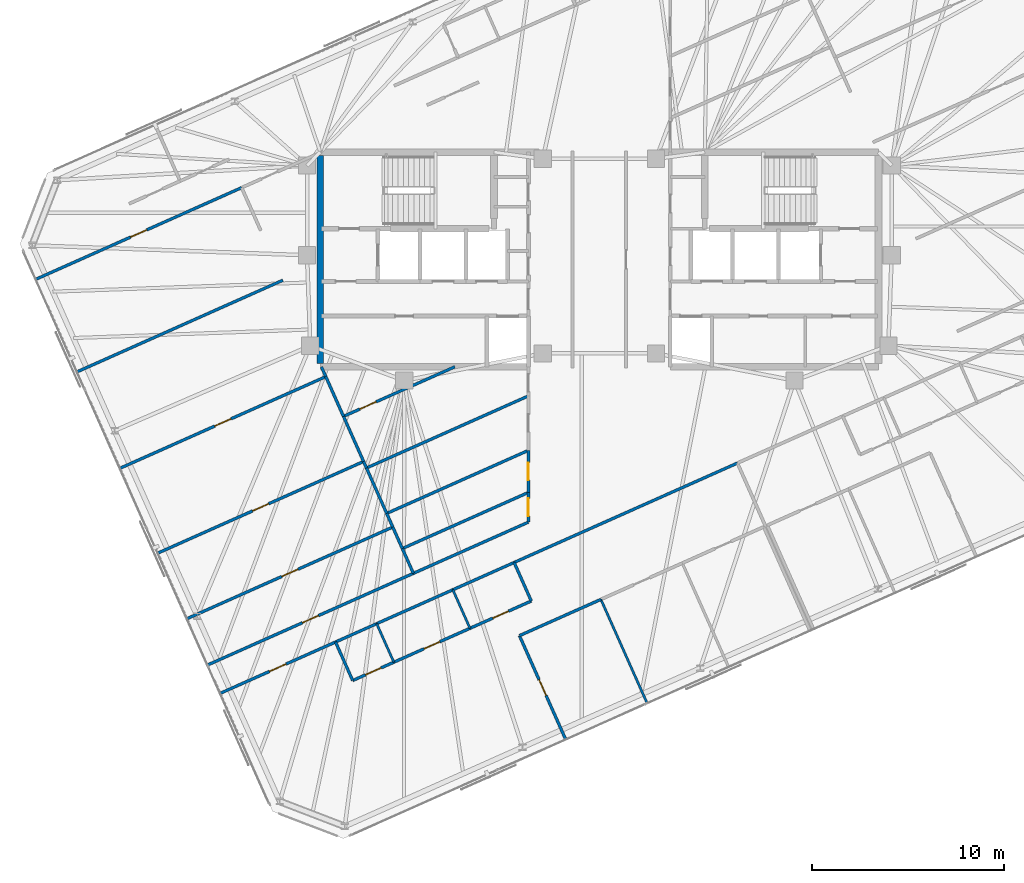
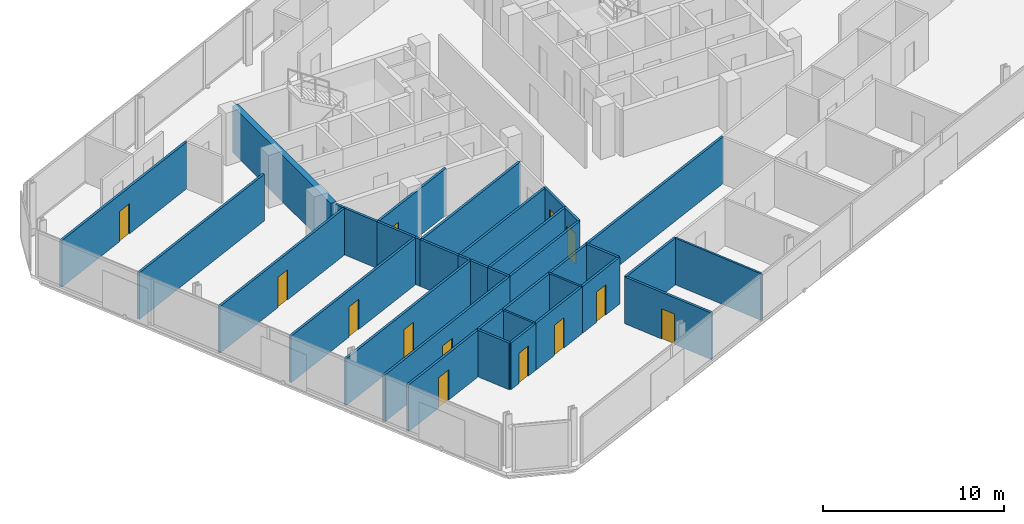
# One storey, part 13 of 19: 37 walls, 13 doors, 13 openings.
"""IFC4 building model written with IfcOpenShell, lengths in metres."""

from ifc_helpers import new_model, si_unit, direction, frame, frame_2d, origin, place, context, subcontext, project, spatial, rectangle, extrude, material, layer, layer_set, type_object, element, fill, save


model = new_model("IFC4")

# Units and contexts
model_context = context("Model", 3, precision=1e-05, world=origin(), true_north=direction((0.0, 1.0)))
body_context = subcontext(model_context, "Body", "Model", "MODEL_VIEW")
ifc_project = project(units=[si_unit("LENGTHUNIT", "METRE"), si_unit("AREAUNIT", "SQUARE_METRE"), si_unit("VOLUMEUNIT", "CUBIC_METRE"), si_unit("PLANEANGLEUNIT", "RADIAN"), si_unit("MASSUNIT", "GRAM", prefix="KILO")], contexts=[model_context])

# Site, building, storey
site_placement = place(None, origin())
site = spatial("IfcSite", under=ifc_project, at=site_placement, CompositionType="ELEMENT")
building_placement = place(site_placement, origin())
building = spatial("IfcBuilding", under=site, at=building_placement, Name="Menara Jurai Vektor", CompositionType="ELEMENT")
storey_placement = place(building_placement, frame((0.0, 0.0, 302.0)))
storey = spatial("IfcBuildingStorey", under=building, at=storey_placement, Name="L81", CompositionType="ELEMENT", Elevation=302.0)

# Wall, opening, door
ifc_material_1 = material(Name="Gypsum Fireboard Partition", Category="gypsum")
ifc_layer_1 = layer(ifc_material_1, 0.14990234375)
ifc_layer_set_1 = layer_set([ifc_layer_1], Name="Gypsum Fireboard Partition")
wall_type_1 = type_object("IfcWallType", Name="INT-WALL-CORR-150", PredefinedType="PARTITIONING", material=ifc_layer_set_1)
wall_1_placement = place(storey_placement, frame((-19.786376953125, -22.638671875, 0.0), z_axis=(0.0, 0.0, 1.0), x_axis=(0.913548717067, 0.406729322211, 0.0)))
wall_1 = element("IfcWall", 1, at=wall_1_placement, inside=storey, type_object=wall_type_1, Name="Interior Wall IW-150 L81", PredefinedType="PARTITIONING", context=body_context, shape_type="SweptSolid", body=[
    extrude(rectangle(XDim=6.59326171875, YDim=0.14990234375, at=frame_2d((3.296630859375, 0.0))), origin(), (0.0, 0.0, 1.0), 3.14501953125),
])
opening_1_placement = place(wall_1_placement, frame((2.821533203125, 0.0, 0.0)))
opening_1 = element("IfcOpeningElement", 2, at=opening_1_placement, cuts=wall_1, Name="Opening D81-13", PredefinedType="OPENING", context=body_context, shape_type="SweptSolid", body=[
    extrude(rectangle(XDim=0.949951171875, YDim=2.0400390625, at=frame_2d((0.47509765625, 1.02001953125))), frame((0.0, 0.0849609375, 0.0), z_axis=(0.0, -1.0, 0.0), x_axis=(1.0, 0.0, 0.0)), (0.0, 0.0, 1.0), 0.169921875),
])
ifc_material_2 = material(Name="Solid Core Timber Fire Door", Category="wood")
door_type_1 = type_object("IfcDoorType", Name="DR-ENTRY-950", OperationType="NOTDEFINED", PredefinedType="DOOR", material=ifc_material_2)
door_1_placement = place(opening_1_placement, origin())
door_1 = element("IfcDoor", 3, at=door_1_placement, inside=storey, type_object=door_type_1, Name="Interior Door D81-13", OperationType="SINGLE_SWING_LEFT", OverallHeight=2.0400390625, OverallWidth=0.949951171875, PredefinedType="DOOR", context=body_context, shape_type="SweptSolid", body=[
    extrude(rectangle(XDim=0.949951171875, YDim=2.0400390625, at=frame_2d((0.47509765625, 1.02001953125))), frame((0.0, 0.02490234375, 0.0), z_axis=(0.0, -1.0, 0.0), x_axis=(1.0, 0.0, 0.0)), (0.0, 0.0, 1.0), 0.050048828125),
])
fill(opening_1, door_1)

# Walls
wall_2_placement = place(storey_placement, frame((-4.445068359375, -15.808349609375, 0.0), z_axis=(0.0, 0.0, 1.0), x_axis=(0.913546853922, 0.406733506966, 0.0)))
element("IfcWall", 4, at=wall_2_placement, inside=storey, type_object=wall_type_1, Name="Interior Wall IW-150 L81", PredefinedType="PARTITIONING", context=body_context, shape_type="SweptSolid", body=[
    extrude(rectangle(XDim=12.7509765625, YDim=0.14990234375, at=frame_2d((6.37548828125, 0.0))), origin(), (0.0, 0.0, 1.0), 3.14501953125),
])
wall_3_placement = place(storey_placement, frame((-13.76318359375, -19.95703125, 0.0), z_axis=(0.0, 0.0, 1.0), x_axis=(0.913541436194, 0.406745675276, 0.0)))
element("IfcWall", 5, at=wall_3_placement, inside=storey, type_object=wall_type_1, Name="Interior Wall IW-150 L81", PredefinedType="PARTITIONING", context=body_context, shape_type="SweptSolid", body=[
    extrude(rectangle(XDim=2.349853515625, YDim=0.14990234375, at=frame_2d((1.1748046875, 0.0))), origin(), (0.0, 0.0, 1.0), 3.14501953125),
])
wall_4_placement = place(storey_placement, frame((-11.616455078125, -19.001220703125, 0.0), z_axis=(0.0, 0.0, 1.0), x_axis=(0.913545193015, 0.406737237438, 0.0)))
element("IfcWall", 6, at=wall_4_placement, inside=storey, type_object=wall_type_1, Name="Interior Wall IW-150 L81", PredefinedType="PARTITIONING", context=body_context, shape_type="SweptSolid", body=[
    extrude(rectangle(XDim=4.349853515625, YDim=0.14990234375, at=frame_2d((2.1748046875, 0.0))), origin(), (0.0, 0.0, 1.0), 3.14501953125),
])
wall_5_placement = place(storey_placement, frame((-7.642578125, -17.23193359375, 0.0), z_axis=(0.0, 0.0, 1.0), x_axis=(0.913549606868, 0.406727323635, 0.0)))
element("IfcWall", 7, at=wall_5_placement, inside=storey, type_object=wall_type_1, Name="Interior Wall IW-150 L81", PredefinedType="PARTITIONING", context=body_context, shape_type="SweptSolid", body=[
    extrude(rectangle(XDim=3.5, YDim=0.14990234375, at=frame_2d((1.75, 0.0))), origin(), (0.0, 0.0, 1.0), 3.14501953125),
])

# Wall, opening, door
wall_6_placement = place(storey_placement, frame((-20.4453125, -21.15869140625, 0.0), z_axis=(0.0, 0.0, 1.0), x_axis=(0.913547681516, 0.406731648137, 0.0)))
wall_6 = element("IfcWall", 8, at=wall_6_placement, inside=storey, type_object=wall_type_1, Name="Interior Wall IW-150 L81", PredefinedType="PARTITIONING", context=body_context, shape_type="SweptSolid", body=[
    extrude(rectangle(XDim=11.760009765625, YDim=0.14990234375, at=frame_2d((5.8798828125, 0.0))), origin(), (0.0, 0.0, 1.0), 3.14501953125),
])
opening_2_placement = place(wall_6_placement, frame((5.419921875, 0.0, 0.0)))
opening_2 = element("IfcOpeningElement", 9, at=opening_2_placement, cuts=wall_6, Name="Opening D81-26", PredefinedType="OPENING", context=body_context, shape_type="SweptSolid", body=[
    extrude(rectangle(XDim=0.919921875, YDim=2.0400390625, at=frame_2d((0.4599609375, 1.02001953125))), frame((0.0, 0.0849609375, 0.0), z_axis=(0.0, -1.0, 0.0), x_axis=(1.0, 0.0, 0.0)), (0.0, 0.0, 1.0), 0.169921875),
])
door_2_placement = place(opening_2_placement, origin())
door_2 = element("IfcDoor", 10, at=door_2_placement, inside=storey, type_object=door_type_1, Name="Interior Door D81-26", OperationType="SINGLE_SWING_RIGHT", OverallHeight=2.0400390625, OverallWidth=0.919921875, PredefinedType="DOOR", context=body_context, shape_type="SweptSolid", body=[
    extrude(rectangle(XDim=0.919921875, YDim=2.0400390625, at=frame_2d((0.4599609375, 1.02001953125))), frame((0.0, 0.02490234375, 0.0), z_axis=(0.0, -1.0, 0.0), x_axis=(1.0, 0.0, 0.0)), (0.0, 0.0, 1.0), 0.050048828125),
])
fill(opening_2, door_2)

wall_7_placement = place(storey_placement, frame((-29.404296875, -1.0361328125, 0.0), z_axis=(0.0, 0.0, 1.0), x_axis=(0.913544247064, 0.406739362069, 0.0)))
wall_7 = element("IfcWall", 11, at=wall_7_placement, inside=storey, type_object=wall_type_1, Name="Interior Wall IW-150 L81", PredefinedType="PARTITIONING", context=body_context, shape_type="SweptSolid", body=[
    extrude(rectangle(XDim=11.759765625, YDim=0.14990234375, at=frame_2d((5.8798828125, 0.0))), origin(), (0.0, 0.0, 1.0), 3.14501953125),
])
opening_3_placement = place(wall_7_placement, frame((5.419921875, 0.0, 0.0)))
opening_3 = element("IfcOpeningElement", 12, at=opening_3_placement, cuts=wall_7, Name="Opening D81-30", PredefinedType="OPENING", context=body_context, shape_type="SweptSolid", body=[
    extrude(rectangle(XDim=0.919921875, YDim=2.0400390625, at=frame_2d((0.4599609375, 1.02001953125))), frame((0.0, 0.0849609375, 0.0), z_axis=(0.0, -1.0, 0.0), x_axis=(1.0, 0.0, 0.0)), (0.0, 0.0, 1.0), 0.169921875),
])
door_3_placement = place(opening_3_placement, origin())
door_3 = element("IfcDoor", 13, at=door_3_placement, inside=storey, type_object=door_type_1, Name="Interior Door D81-30", OperationType="SINGLE_SWING_RIGHT", OverallHeight=2.0400390625, OverallWidth=0.919921875, PredefinedType="DOOR", context=body_context, shape_type="SweptSolid", body=[
    extrude(rectangle(XDim=0.919921875, YDim=2.0400390625, at=frame_2d((0.4599609375, 1.02001953125))), frame((0.0, 0.02490234375, 0.0), z_axis=(0.0, -1.0, 0.0), x_axis=(1.0, 0.0, 0.0)), (0.0, 0.0, 1.0), 0.050048828125),
])
fill(opening_3, door_3)

# Wall
wall_8_placement = place(storey_placement, frame((-9.701904296875, -16.37548828125, 0.0), z_axis=(0.0, 0.0, 1.0), x_axis=(0.913552389019, 0.406721074594, 0.0)))
element("IfcWall", 14, at=wall_8_placement, inside=storey, type_object=wall_type_1, Name="Interior Wall IW-150 L81", PredefinedType="PARTITIONING", context=body_context, shape_type="SweptSolid", body=[
    extrude(rectangle(XDim=6.56982421875, YDim=0.14990234375, at=frame_2d((3.284912109375, 0.0))), origin(), (0.0, 0.0, 1.0), 3.14501953125),
])

# Wall, opening, door
wall_9_placement = place(storey_placement, frame((-3.699951171875, -13.703369140625, 0.0), z_axis=(0.0, 0.0, 1.0), x_axis=(-0.000157529929, 0.999999987592, 0.0)))
wall_9 = element("IfcWall", 15, at=wall_9_placement, inside=storey, type_object=wall_type_1, Name="Interior Wall IW-150 L81", PredefinedType="PARTITIONING", context=body_context, shape_type="SweptSolid", body=[
    extrude(rectangle(XDim=1.5498046875, YDim=0.14990234375, at=frame_2d((0.77490234375, 0.0))), origin(), (0.0, 0.0, 1.0), 3.14501953125),
])
opening_4_placement = place(wall_9_placement, frame((0.31494140625, 0.0, 0.0)))
opening_4 = element("IfcOpeningElement", 16, at=opening_4_placement, cuts=wall_9, Name="Opening D81-33", PredefinedType="OPENING", context=body_context, shape_type="SweptSolid", body=[
    extrude(rectangle(XDim=0.919921875, YDim=2.0400390625, at=frame_2d((0.4599609375, 1.02001953125))), frame((0.0, 0.0849609375, 0.0), z_axis=(0.0, -1.0, 0.0), x_axis=(1.0, 0.0, 0.0)), (0.0, 0.0, 1.0), 0.169921875),
])
door_4_placement = place(opening_4_placement, origin())
door_4 = element("IfcDoor", 17, at=door_4_placement, inside=storey, type_object=door_type_1, Name="Interior Door D81-33", OperationType="SINGLE_SWING_LEFT", OverallHeight=2.0400390625, OverallWidth=0.919921875, PredefinedType="DOOR", context=body_context, shape_type="SweptSolid", body=[
    extrude(rectangle(XDim=0.919921875, YDim=2.0400390625, at=frame_2d((0.4599609375, 1.02001953125))), frame((0.0, 0.02490234375, 0.0), z_axis=(0.0, -1.0, 0.0), x_axis=(1.0, 0.0, 0.0)), (0.0, 0.0, 1.0), 0.050048828125),
])
fill(opening_4, door_4)

wall_10_placement = place(storey_placement, frame((-3.7001953125, -12.153564453125, 0.0), z_axis=(0.0, 0.0, 1.0), x_axis=(0.000111222333, 0.999999993815, 0.0)))
wall_10 = element("IfcWall", 18, at=wall_10_placement, inside=storey, type_object=wall_type_1, Name="Interior Wall IW-150 L81", PredefinedType="PARTITIONING", context=body_context, shape_type="SweptSolid", body=[
    extrude(rectangle(XDim=2.195068359375, YDim=0.14990234375, at=frame_2d((1.09765625, 0.0))), origin(), (0.0, 0.0, 1.0), 3.14501953125),
])
opening_5_placement = place(wall_10_placement, frame((0.637451171875, 0.0, 0.0)))
opening_5 = element("IfcOpeningElement", 19, at=opening_5_placement, cuts=wall_10, Name="Opening D81-34", PredefinedType="OPENING", context=body_context, shape_type="SweptSolid", body=[
    extrude(rectangle(XDim=0.919921875, YDim=2.0400390625, at=frame_2d((0.4599609375, 1.02001953125))), frame((0.0, 0.0849609375, 0.0), z_axis=(0.0, -1.0, 0.0), x_axis=(1.0, 0.0, 0.0)), (0.0, 0.0, 1.0), 0.169921875),
])
door_5_placement = place(opening_5_placement, origin())
door_5 = element("IfcDoor", 20, at=door_5_placement, inside=storey, type_object=door_type_1, Name="Interior Door D81-34", OperationType="SINGLE_SWING_RIGHT", OverallHeight=2.0400390625, OverallWidth=0.919921875, PredefinedType="DOOR", context=body_context, shape_type="SweptSolid", body=[
    extrude(rectangle(XDim=0.919921875, YDim=2.0400390625, at=frame_2d((0.4599609375, 1.02001953125))), frame((0.0, 0.02490234375, 0.0), z_axis=(0.0, -1.0, 0.0), x_axis=(1.0, 0.0, 0.0)), (0.0, 0.0, 1.0), 0.050048828125),
])
fill(opening_5, door_5)

# Wall
wall_11_placement = place(storey_placement, frame((-12.868408203125, -21.966796875, 0.0), z_axis=(0.0, 0.0, 1.0), x_axis=(-0.406725294076, 0.913550510459, 0.0)))
element("IfcWall", 21, at=wall_11_placement, inside=storey, type_object=wall_type_1, Name="Interior Wall IW-150 L81", PredefinedType="PARTITIONING", context=body_context, shape_type="SweptSolid", body=[
    extrude(rectangle(XDim=2.199951171875, YDim=0.14990234375, at=frame_2d((1.10009765625, 0.0))), origin(), (0.0, 0.0, 1.0), 3.14501953125),
])

# Wall, opening, door
wall_12_placement = place(storey_placement, frame((-12.868408203125, -21.966796875, 0.0), z_axis=(0.0, 0.0, 1.0), x_axis=(0.913541436194, 0.406745675276, 0.0)))
wall_12 = element("IfcWall", 22, at=wall_12_placement, inside=storey, type_object=wall_type_1, Name="Interior Wall IW-150 L81", PredefinedType="PARTITIONING", context=body_context, shape_type="SweptSolid", body=[
    extrude(rectangle(XDim=2.349853515625, YDim=0.14990234375, at=frame_2d((1.1748046875, 0.0))), origin(), (0.0, 0.0, 1.0), 3.14501953125),
])
opening_6_placement = place(wall_12_placement, frame((0.735107421875, 0.0, 0.0)))
opening_6 = element("IfcOpeningElement", 23, at=opening_6_placement, cuts=wall_12, Name="Opening D81-14", PredefinedType="OPENING", context=body_context, shape_type="SweptSolid", body=[
    extrude(rectangle(XDim=0.8798828125, YDim=2.0400390625, at=frame_2d((0.43994140625, 1.02001953125))), frame((0.0, 0.0849609375, 0.0), z_axis=(0.0, -1.0, 0.0), x_axis=(1.0, 0.0, 0.0)), (0.0, 0.0, 1.0), 0.169921875),
])
ifc_material_3 = material(Name="Moisture-Resistant Timber Door", Category="wood")
door_type_2 = type_object("IfcDoorType", Name="DR-BATH-880", OperationType="NOTDEFINED", PredefinedType="DOOR", material=ifc_material_3)
door_6_placement = place(opening_6_placement, origin())
door_6 = element("IfcDoor", 24, at=door_6_placement, inside=storey, type_object=door_type_2, Name="Interior Door D81-14", OperationType="SINGLE_SWING_RIGHT", OverallHeight=2.0400390625, OverallWidth=0.8798828125, PredefinedType="DOOR", context=body_context, shape_type="SweptSolid", body=[
    extrude(rectangle(XDim=0.8798828125, YDim=2.0400390625, at=frame_2d((0.43994140625, 1.02001953125))), frame((0.0, 0.02490234375, 0.0), z_axis=(0.0, -1.0, 0.0), x_axis=(1.0, 0.0, 0.0)), (0.0, 0.0, 1.0), 0.050048828125),
])
fill(opening_6, door_6)

wall_13_placement = place(storey_placement, frame((-10.7216796875, -21.010986328125, 0.0), z_axis=(0.0, 0.0, 1.0), x_axis=(0.913545193015, 0.406737237438, 0.0)))
wall_13 = element("IfcWall", 25, at=wall_13_placement, inside=storey, type_object=wall_type_1, Name="Interior Wall IW-150 L81", PredefinedType="PARTITIONING", context=body_context, shape_type="SweptSolid", body=[
    extrude(rectangle(XDim=4.349853515625, YDim=0.14990234375, at=frame_2d((2.1748046875, 0.0))), origin(), (0.0, 0.0, 1.0), 3.14501953125),
])
opening_7_placement = place(wall_13_placement, frame((1.72509765625, 0.0, 0.0)))
opening_7 = element("IfcOpeningElement", 26, at=opening_7_placement, cuts=wall_13, Name="Opening D81-15", PredefinedType="OPENING", context=body_context, shape_type="SweptSolid", body=[
    extrude(rectangle(XDim=0.89990234375, YDim=2.0400390625, at=frame_2d((0.449951171875, 1.02001953125))), frame((0.0, 0.0849609375, 0.0), z_axis=(0.0, -1.0, 0.0), x_axis=(1.0, 0.0, 0.0)), (0.0, 0.0, 1.0), 0.169921875),
])
ifc_material_4 = material(Name="Acoustic Timber Interior Door", Category="wood")
door_type_3 = type_object("IfcDoorType", Name="DR-ROOM-900", OperationType="NOTDEFINED", PredefinedType="DOOR", material=ifc_material_4)
door_7_placement = place(opening_7_placement, origin())
door_7 = element("IfcDoor", 27, at=door_7_placement, inside=storey, type_object=door_type_3, Name="Interior Door D81-15", OperationType="SINGLE_SWING_LEFT", OverallHeight=2.0400390625, OverallWidth=0.89990234375, PredefinedType="DOOR", context=body_context, shape_type="SweptSolid", body=[
    extrude(rectangle(XDim=0.89990234375, YDim=2.0400390625, at=frame_2d((0.449951171875, 1.02001953125))), frame((0.0, 0.02490234375, 0.0), z_axis=(0.0, -1.0, 0.0), x_axis=(1.0, 0.0, 0.0)), (0.0, 0.0, 1.0), 0.050048828125),
])
fill(opening_7, door_7)

wall_14_placement = place(storey_placement, frame((-6.747802734375, -19.24169921875, 0.0), z_axis=(0.0, 0.0, 1.0), x_axis=(0.913549606868, 0.406727323635, 0.0)))
wall_14 = element("IfcWall", 28, at=wall_14_placement, inside=storey, type_object=wall_type_1, Name="Interior Wall IW-150 L81", PredefinedType="PARTITIONING", context=body_context, shape_type="SweptSolid", body=[
    extrude(rectangle(XDim=3.5, YDim=0.14990234375, at=frame_2d((1.75, 0.0))), origin(), (0.0, 0.0, 1.0), 3.14501953125),
])
opening_8_placement = place(wall_14_placement, frame((1.31005859375, 0.0, 0.0)))
opening_8 = element("IfcOpeningElement", 29, at=opening_8_placement, cuts=wall_14, Name="Opening D81-16", PredefinedType="OPENING", context=body_context, shape_type="SweptSolid", body=[
    extrude(rectangle(XDim=0.8798828125, YDim=2.0400390625, at=frame_2d((0.43994140625, 1.02001953125))), frame((0.0, 0.0849609375, 0.0), z_axis=(0.0, -1.0, 0.0), x_axis=(1.0, 0.0, 0.0)), (0.0, 0.0, 1.0), 0.169921875),
])
door_8_placement = place(opening_8_placement, origin())
door_8 = element("IfcDoor", 30, at=door_8_placement, inside=storey, type_object=door_type_2, Name="Interior Door D81-16", OperationType="SINGLE_SWING_RIGHT", OverallHeight=2.0400390625, OverallWidth=0.8798828125, PredefinedType="DOOR", context=body_context, shape_type="SweptSolid", body=[
    extrude(rectangle(XDim=0.8798828125, YDim=2.0400390625, at=frame_2d((0.43994140625, 1.02001953125))), frame((0.0, 0.02490234375, 0.0), z_axis=(0.0, -1.0, 0.0), x_axis=(1.0, 0.0, 0.0)), (0.0, 0.0, 1.0), 0.050048828125),
])
fill(opening_8, door_8)

# Wall
wall_15_placement = place(storey_placement, frame((-3.55029296875, -17.818115234375, 0.0), z_axis=(0.0, 0.0, 1.0), x_axis=(-0.406725294076, 0.913550510459, 0.0)))
element("IfcWall", 31, at=wall_15_placement, inside=storey, type_object=wall_type_1, Name="Interior Wall IW-150 L81", PredefinedType="PARTITIONING", context=body_context, shape_type="SweptSolid", body=[
    extrude(rectangle(XDim=2.199951171875, YDim=0.14990234375, at=frame_2d((1.10009765625, 0.0))), origin(), (0.0, 0.0, 1.0), 3.14501953125),
])

# Wall, opening, door
wall_16_placement = place(storey_placement, frame((-1.753662109375, -25.04736328125, 0.0), z_axis=(0.0, 0.0, 1.0), x_axis=(-0.406714717734, 0.913555219119, 0.0)))
wall_16 = element("IfcWall", 32, at=wall_16_placement, inside=storey, type_object=wall_type_1, Name="Interior Wall IW-150 L81", PredefinedType="PARTITIONING", context=body_context, shape_type="SweptSolid", body=[
    extrude(rectangle(XDim=5.934814453125, YDim=0.14990234375, at=frame_2d((2.96728515625, 0.0))), origin(), (0.0, 0.0, 1.0), 3.14501953125),
])
opening_9_placement = place(wall_16_placement, frame((2.517578125, 0.0, 0.0)))
opening_9 = element("IfcOpeningElement", 33, at=opening_9_placement, cuts=wall_16, Name="Opening D81-17", PredefinedType="OPENING", context=body_context, shape_type="SweptSolid", body=[
    extrude(rectangle(XDim=0.89990234375, YDim=2.0400390625, at=frame_2d((0.449951171875, 1.02001953125))), frame((0.0, 0.0849609375, 0.0), z_axis=(0.0, -1.0, 0.0), x_axis=(1.0, 0.0, 0.0)), (0.0, 0.0, 1.0), 0.169921875),
])
door_9_placement = place(opening_9_placement, origin())
door_9 = element("IfcDoor", 34, at=door_9_placement, inside=storey, type_object=door_type_3, Name="Interior Door D81-17", OperationType="SINGLE_SWING_LEFT", OverallHeight=2.0400390625, OverallWidth=0.89990234375, PredefinedType="DOOR", context=body_context, shape_type="SweptSolid", body=[
    extrude(rectangle(XDim=0.89990234375, YDim=2.0400390625, at=frame_2d((0.449951171875, 1.02001953125))), frame((0.0, 0.02490234375, 0.0), z_axis=(0.0, -1.0, 0.0), x_axis=(1.0, 0.0, 0.0)), (0.0, 0.0, 1.0), 0.050048828125),
])
fill(opening_9, door_9)

# Wall
wall_17_placement = place(storey_placement, frame((-4.16748046875, -19.62548828125, 0.0), z_axis=(0.0, 0.0, 1.0), x_axis=(0.913536363976, 0.406757067172, 0.0)))
element("IfcWall", 35, at=wall_17_placement, inside=storey, type_object=wall_type_1, Name="Interior Wall IW-150 L81", PredefinedType="PARTITIONING", context=body_context, shape_type="SweptSolid", body=[
    extrude(rectangle(XDim=4.64990234375, YDim=0.14990234375, at=frame_2d((2.324951171875, 0.0))), origin(), (0.0, 0.0, 1.0), 3.14501953125),
])

# Wall, opening, door
wall_18_placement = place(storey_placement, frame((-21.520263671875, -18.744384765625, 0.0), z_axis=(0.0, 0.0, 1.0), x_axis=(0.913539967617, 0.406748973651, 0.0)))
wall_18 = element("IfcWall", 36, at=wall_18_placement, inside=storey, type_object=wall_type_1, Name="Interior Wall IW-150 L81", PredefinedType="PARTITIONING", context=body_context, shape_type="SweptSolid", body=[
    extrude(rectangle(XDim=11.76025390625, YDim=0.14990234375, at=frame_2d((5.880126953125, 0.0))), origin(), (0.0, 0.0, 1.0), 3.14501953125),
])
opening_10_placement = place(wall_18_placement, frame((5.419921875, 0.0, 0.0)))
opening_10 = element("IfcOpeningElement", 37, at=opening_10_placement, cuts=wall_18, Name="Opening D81-27", PredefinedType="OPENING", context=body_context, shape_type="SweptSolid", body=[
    extrude(rectangle(XDim=0.919921875, YDim=2.0400390625, at=frame_2d((0.4599609375, 1.02001953125))), frame((0.0, 0.0849609375, 0.0), z_axis=(0.0, -1.0, 0.0), x_axis=(1.0, 0.0, 0.0)), (0.0, 0.0, 1.0), 0.169921875),
])
door_10_placement = place(opening_10_placement, origin())
door_10 = element("IfcDoor", 38, at=door_10_placement, inside=storey, type_object=door_type_1, Name="Interior Door D81-27", OperationType="SINGLE_SWING_LEFT", OverallHeight=2.0400390625, OverallWidth=0.919921875, PredefinedType="DOOR", context=body_context, shape_type="SweptSolid", body=[
    extrude(rectangle(XDim=0.919921875, YDim=2.0400390625, at=frame_2d((0.4599609375, 1.02001953125))), frame((0.0, 0.02490234375, 0.0), z_axis=(0.0, -1.0, 0.0), x_axis=(1.0, 0.0, 0.0)), (0.0, 0.0, 1.0), 0.050048828125),
])
fill(opening_10, door_10)

# Walls
wall_19_placement = place(storey_placement, frame((-9.701904296875, -16.37548828125, 0.0), z_axis=(0.0, 0.0, 1.0), x_axis=(-0.406762319034, 0.913534025537, 0.0)))
element("IfcWall", 39, at=wall_19_placement, inside=storey, type_object=wall_type_1, Name="Interior Wall IW-150 L81", PredefinedType="PARTITIONING", context=body_context, shape_type="SweptSolid", body=[
    extrude(rectangle(XDim=1.415771484375, YDim=0.14990234375, at=frame_2d((0.7080078125, 0.0))), origin(), (0.0, 0.0, 1.0), 3.14501953125),
])
wall_20_placement = place(storey_placement, frame((-10.27783203125, -15.08203125, 0.0), z_axis=(0.0, 0.0, 1.0), x_axis=(-0.406655262741, 0.913581686159, 0.0)))
element("IfcWall", 40, at=wall_20_placement, inside=storey, type_object=wall_type_1, Name="Interior Wall IW-150 L81", PredefinedType="PARTITIONING", context=body_context, shape_type="SweptSolid", body=[
    extrude(rectangle(XDim=1.22705078125, YDim=0.14990234375, at=frame_2d((0.613525390625, 0.0))), origin(), (0.0, 0.0, 1.0), 3.14501953125),
])

# Wall, opening, door
wall_21_placement = place(storey_placement, frame((-23.04345703125, -15.322998046875, 0.0), z_axis=(0.0, 0.0, 1.0), x_axis=(0.913547681516, 0.406731648137, 0.0)))
wall_21 = element("IfcWall", 41, at=wall_21_placement, inside=storey, type_object=wall_type_1, Name="Interior Wall IW-150 L81", PredefinedType="PARTITIONING", context=body_context, shape_type="SweptSolid", body=[
    extrude(rectangle(XDim=11.760009765625, YDim=0.14990234375, at=frame_2d((5.8798828125, 0.0))), origin(), (0.0, 0.0, 1.0), 3.14501953125),
])
opening_11_placement = place(wall_21_placement, frame((5.419921875, 0.0, 0.0)))
opening_11 = element("IfcOpeningElement", 42, at=opening_11_placement, cuts=wall_21, Name="Opening D81-28", PredefinedType="OPENING", context=body_context, shape_type="SweptSolid", body=[
    extrude(rectangle(XDim=0.919921875, YDim=2.0400390625, at=frame_2d((0.4599609375, 1.02001953125))), frame((0.0, 0.0849609375, 0.0), z_axis=(0.0, -1.0, 0.0), x_axis=(1.0, 0.0, 0.0)), (0.0, 0.0, 1.0), 0.169921875),
])
door_11_placement = place(opening_11_placement, origin())
door_11 = element("IfcDoor", 43, at=door_11_placement, inside=storey, type_object=door_type_1, Name="Interior Door D81-28", OperationType="SINGLE_SWING_RIGHT", OverallHeight=2.0400390625, OverallWidth=0.919921875, PredefinedType="DOOR", context=body_context, shape_type="SweptSolid", body=[
    extrude(rectangle(XDim=0.919921875, YDim=2.0400390625, at=frame_2d((0.4599609375, 1.02001953125))), frame((0.0, 0.02490234375, 0.0), z_axis=(0.0, -1.0, 0.0), x_axis=(1.0, 0.0, 0.0)), (0.0, 0.0, 1.0), 0.050048828125),
])
fill(opening_11, door_11)

# Walls
wall_22_placement = place(storey_placement, frame((-10.77685546875, -13.9609375, 0.0), z_axis=(0.0, 0.0, 1.0), x_axis=(-0.406720744325, 0.913552536057, 0.0)))
element("IfcWall", 44, at=wall_22_placement, inside=storey, type_object=wall_type_1, Name="Interior Wall IW-150 L81", PredefinedType="PARTITIONING", context=body_context, shape_type="SweptSolid", body=[
    extrude(rectangle(XDim=0.77783203125, YDim=0.14990234375, at=frame_2d((0.388916015625, 0.0))), origin(), (0.0, 0.0, 1.0), 3.14501953125),
])
wall_23_placement = place(storey_placement, frame((-11.09326171875, -13.250244140625, 0.0), z_axis=(0.0, 0.0, 1.0), x_axis=(-0.406723252866, 0.91355141923, 0.0)))
element("IfcWall", 45, at=wall_23_placement, inside=storey, type_object=wall_type_1, Name="Interior Wall IW-150 L81", PredefinedType="PARTITIONING", context=body_context, shape_type="SweptSolid", body=[
    extrude(rectangle(XDim=2.594970703125, YDim=0.14990234375, at=frame_2d((1.29736328125, 0.0))), origin(), (0.0, 0.0, 1.0), 3.14501953125),
])
wall_24_placement = place(storey_placement, frame((-12.148681640625, -10.879638671875, 0.0), z_axis=(0.0, 0.0, 1.0), x_axis=(-0.406868995548, 0.913486519037, 0.0)))
element("IfcWall", 46, at=wall_24_placement, inside=storey, type_object=wall_type_1, Name="Interior Wall IW-150 L81", PredefinedType="PARTITIONING", context=body_context, shape_type="SweptSolid", body=[
    extrude(rectangle(XDim=0.3720703125, YDim=0.14990234375, at=frame_2d((0.18603515625, 0.0))), origin(), (0.0, 0.0, 1.0), 3.14501953125),
])

# Wall, opening, door
wall_25_placement = place(storey_placement, frame((-25.014404296875, -10.89599609375, 0.0), z_axis=(0.0, 0.0, 1.0), x_axis=(0.913544247064, 0.406739362069, 0.0)))
wall_25 = element("IfcWall", 47, at=wall_25_placement, inside=storey, type_object=wall_type_1, Name="Interior Wall IW-150 L81", PredefinedType="PARTITIONING", context=body_context, shape_type="SweptSolid", body=[
    extrude(rectangle(XDim=11.759765625, YDim=0.14990234375, at=frame_2d((5.8798828125, 0.0))), origin(), (0.0, 0.0, 1.0), 3.14501953125),
])
opening_12_placement = place(wall_25_placement, frame((5.419921875, 0.0, 0.0)))
opening_12 = element("IfcOpeningElement", 48, at=opening_12_placement, cuts=wall_25, Name="Opening D81-29", PredefinedType="OPENING", context=body_context, shape_type="SweptSolid", body=[
    extrude(rectangle(XDim=0.919921875, YDim=2.0400390625, at=frame_2d((0.4599609375, 1.02001953125))), frame((0.0, 0.0849609375, 0.0), z_axis=(0.0, -1.0, 0.0), x_axis=(1.0, 0.0, 0.0)), (0.0, 0.0, 1.0), 0.169921875),
])
door_12_placement = place(opening_12_placement, origin())
door_12 = element("IfcDoor", 49, at=door_12_placement, inside=storey, type_object=door_type_1, Name="Interior Door D81-29", OperationType="SINGLE_SWING_LEFT", OverallHeight=2.0400390625, OverallWidth=0.919921875, PredefinedType="DOOR", context=body_context, shape_type="SweptSolid", body=[
    extrude(rectangle(XDim=0.919921875, YDim=2.0400390625, at=frame_2d((0.4599609375, 1.02001953125))), frame((0.0, 0.02490234375, 0.0), z_axis=(0.0, -1.0, 0.0), x_axis=(1.0, 0.0, 0.0)), (0.0, 0.0, 1.0), 0.050048828125),
])
fill(opening_12, door_12)

# Walls
wall_26_placement = place(storey_placement, frame((-12.300048828125, -10.539794921875, 0.0), z_axis=(0.0, 0.0, 1.0), x_axis=(-0.406788806475, 0.913522231216, 0.0)))
element("IfcWall", 50, at=wall_26_placement, inside=storey, type_object=wall_type_1, Name="Interior Wall IW-150 L81", PredefinedType="PARTITIONING", context=body_context, shape_type="SweptSolid", body=[
    extrude(rectangle(XDim=2.5771484375, YDim=0.14990234375, at=frame_2d((1.28857421875, 0.0))), origin(), (0.0, 0.0, 1.0), 3.14501953125),
])
wall_27_placement = place(storey_placement, frame((-13.348388671875, -8.185546875, 0.0), z_axis=(0.0, 0.0, 1.0), x_axis=(-0.40673740295, 0.913545119324, 0.0)))
element("IfcWall", 51, at=wall_27_placement, inside=storey, type_object=wall_type_1, Name="Interior Wall IW-150 L81", PredefinedType="PARTITIONING", context=body_context, shape_type="SweptSolid", body=[
    extrude(rectangle(XDim=2.268798828125, YDim=0.14990234375, at=frame_2d((1.13427734375, 0.0))), origin(), (0.0, 0.0, 1.0), 3.14501953125),
])
wall_28_placement = place(storey_placement, frame((-27.25439453125, -5.864990234375, 0.0), z_axis=(0.0, 0.0, 1.0), x_axis=(0.913547681516, 0.406731648137, 0.0)))
element("IfcWall", 52, at=wall_28_placement, inside=storey, type_object=wall_type_1, Name="Interior Wall IW-150 L81", PredefinedType="PARTITIONING", context=body_context, shape_type="SweptSolid", body=[
    extrude(rectangle(XDim=11.760009765625, YDim=0.14990234375, at=frame_2d((5.8798828125, 0.0))), origin(), (0.0, 0.0, 1.0), 3.14501953125),
])
wall_29_placement = place(storey_placement, frame((-14.271240234375, -6.11279296875, 0.0), z_axis=(0.0, 0.0, 1.0), x_axis=(-0.406622099206, 0.913596447255, 0.0)))
element("IfcWall", 53, at=wall_29_placement, inside=storey, type_object=wall_type_1, Name="Interior Wall IW-150 L81", PredefinedType="PARTITIONING", context=body_context, shape_type="SweptSolid", body=[
    extrude(rectangle(XDim=0.56201171875, YDim=0.14990234375, at=frame_2d((0.281005859375, 0.0))), origin(), (0.0, 0.0, 1.0), 3.14501953125),
])
wall_30_placement = place(storey_placement, frame((-10.27783203125, -15.08203125, 0.0), z_axis=(0.0, 0.0, 1.0), x_axis=(0.913549882956, 0.406726703513, 0.0)))
element("IfcWall", 54, at=wall_30_placement, inside=storey, type_object=wall_type_1, Name="Interior Wall IW-150 L81", PredefinedType="PARTITIONING", context=body_context, shape_type="SweptSolid", body=[
    extrude(rectangle(XDim=7.2001953125, YDim=0.14990234375, at=frame_2d((3.60009765625, 0.0))), origin(), (0.0, 0.0, 1.0), 3.14501953125),
])
wall_31_placement = place(storey_placement, frame((-11.09326171875, -13.250244140625, 0.0), z_axis=(0.0, 0.0, 1.0), x_axis=(0.913543891457, 0.406740160767, 0.0)))
element("IfcWall", 55, at=wall_31_placement, inside=storey, type_object=wall_type_1, Name="Interior Wall IW-150 L81", PredefinedType="PARTITIONING", context=body_context, shape_type="SweptSolid", body=[
    extrude(rectangle(XDim=8.093017578125, YDim=0.14990234375, at=frame_2d((4.04638671875, 0.0))), origin(), (0.0, 0.0, 1.0), 3.14501953125),
])
wall_32_placement = place(storey_placement, frame((-12.148681640625, -10.879638671875, 0.0), z_axis=(0.0, 0.0, 1.0), x_axis=(0.913542450291, 0.406743397631, 0.0)))
element("IfcWall", 56, at=wall_32_placement, inside=storey, type_object=wall_type_1, Name="Interior Wall IW-150 L81", PredefinedType="PARTITIONING", context=body_context, shape_type="SweptSolid", body=[
    extrude(rectangle(XDim=9.247802734375, YDim=0.14990234375, at=frame_2d((4.6240234375, 0.0))), origin(), (0.0, 0.0, 1.0), 3.14501953125),
])

# Wall, opening, door
wall_33_placement = place(storey_placement, frame((-13.348388671875, -8.185546875, 0.0), z_axis=(0.0, 0.0, 1.0), x_axis=(0.913551673432, 0.406722681896, 0.0)))
wall_33 = element("IfcWall", 57, at=wall_33_placement, inside=storey, type_object=wall_type_1, Name="Interior Wall IW-150 L81", PredefinedType="PARTITIONING", context=body_context, shape_type="SweptSolid", body=[
    extrude(rectangle(XDim=6.35791015625, YDim=0.14990234375, at=frame_2d((3.178955078125, 0.0))), origin(), (0.0, 0.0, 1.0), 3.14501953125),
])
opening_13_placement = place(wall_33_placement, frame((0.938720703125, 0.0, 0.0)))
opening_13 = element("IfcOpeningElement", 58, at=opening_13_placement, cuts=wall_33, Name="Opening D81-37", PredefinedType="OPENING", context=body_context, shape_type="SweptSolid", body=[
    extrude(rectangle(XDim=0.919921875, YDim=2.0400390625, at=frame_2d((0.4599609375, 1.02001953125))), frame((0.0, 0.0849609375, 0.0), z_axis=(0.0, -1.0, 0.0), x_axis=(1.0, 0.0, 0.0)), (0.0, 0.0, 1.0), 0.169921875),
])
door_13_placement = place(opening_13_placement, origin())
door_13 = element("IfcDoor", 59, at=door_13_placement, inside=storey, type_object=door_type_1, Name="Interior Door D81-37", OperationType="SINGLE_SWING_LEFT", OverallHeight=2.0400390625, OverallWidth=0.919921875, PredefinedType="DOOR", context=body_context, shape_type="SweptSolid", body=[
    extrude(rectangle(XDim=0.919921875, YDim=2.0400390625, at=frame_2d((0.4599609375, 1.02001953125))), frame((0.0, 0.02490234375, 0.0), z_axis=(0.0, -1.0, 0.0), x_axis=(1.0, 0.0, 0.0)), (0.0, 0.0, 1.0), 0.050048828125),
])
fill(opening_13, door_13)

# Walls
ifc_material_5 = material(Name="Gypsum Acoustic Stud Partition", Category="gypsum")
ifc_layer_2 = layer(ifc_material_5, 0.1201171875)
ifc_layer_set_2 = layer_set([ifc_layer_2], Name="Gypsum Acoustic Stud Partition")
wall_type_2 = type_object("IfcWallType", Name="INT-WALL-PART-120", PredefinedType="PARTITIONING", material=ifc_layer_set_2)
for number, where, z_axis, x_axis, name in (
    (60, (-10.7216796875, -21.010986328125, 0.0), (0.0, 0.0, 1.0), (-0.406725294076, 0.913550510459, 0.0), "Interior Wall IW-120 L81"),
    (61, (-6.747802734375, -19.24169921875, 0.0), (0.0, 0.0, 1.0), (-0.406725294076, 0.913550510459, 0.0), "Interior Wall IW-120 L81"),
):
    element("IfcWall", number, at=place(storey_placement, frame(where, z_axis=z_axis, x_axis=x_axis)), inside=storey, type_object=wall_type_2, Name=name, PredefinedType="PARTITIONING", context=body_context, shape_type="SweptSolid", body=[
        extrude(rectangle(XDim=2.199951171875, YDim=0.1201171875, at=frame_2d((1.10009765625, 0.0))), origin(), (0.0, 0.0, 1.0), 3.14501953125),
    ])
wall_34_placement = place(storey_placement, frame((2.494384765625, -23.156005859375, 0.0), z_axis=(0.0, 0.0, 1.0), x_axis=(-0.406749048544, 0.913539934271, 0.0)))
element("IfcWall", 62, at=wall_34_placement, inside=storey, type_object=wall_type_2, Name="Interior Wall IW-120 L81", PredefinedType="PARTITIONING", context=body_context, shape_type="SweptSolid", body=[
    extrude(rectangle(XDim=5.93505859375, YDim=0.1201171875, at=frame_2d((2.967529296875, 0.0))), origin(), (0.0, 0.0, 1.0), 3.14501953125),
])
ifc_material_6 = material(Name="Concrete C50/60", Category="concrete")
ifc_layer_3 = layer(ifc_material_6, 0.35009765625)
ifc_layer_set_3 = layer_set([ifc_layer_3], Name="Concrete C50/60")
wall_type_3 = type_object("IfcWallType", Name="STR-WALL-CORE350", PredefinedType="SHEAR", material=ifc_layer_set_3)
wall_35_placement = place(storey_placement, frame((-14.56005859375, -5.425048828125, 0.0), z_axis=(0.0, 0.0, 1.0), x_axis=(0.0, 1.0, 0.0)))
element("IfcWall", 63, at=wall_35_placement, inside=storey, type_object=wall_type_3, Name="Core Shear Wall CW-W-W L81", PredefinedType="SHEAR", context=body_context, shape_type="SweptSolid", body=[
    extrude(rectangle(XDim=10.85009765625, YDim=0.35009765625, at=frame_2d((5.425048828125, 0.0))), origin(), (0.0, 0.0, 1.0), 3.14501953125),
])

save(model, "model.ifc")
